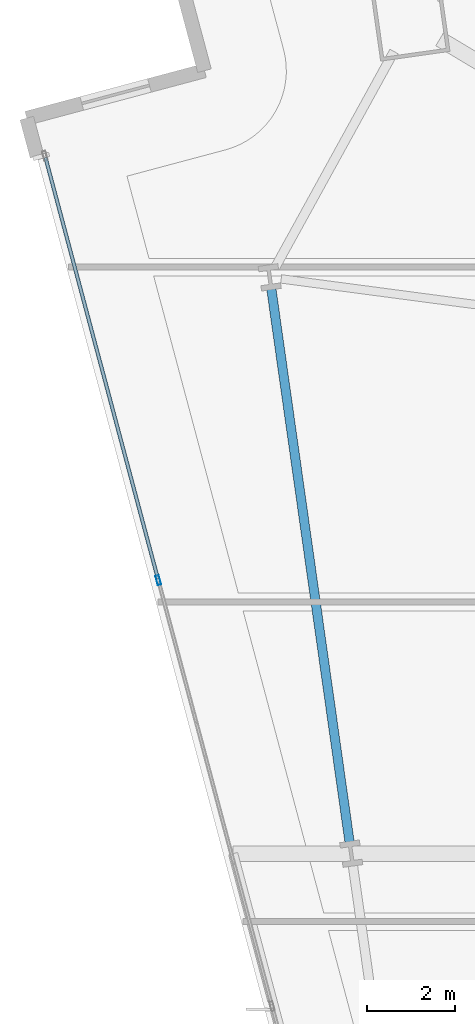
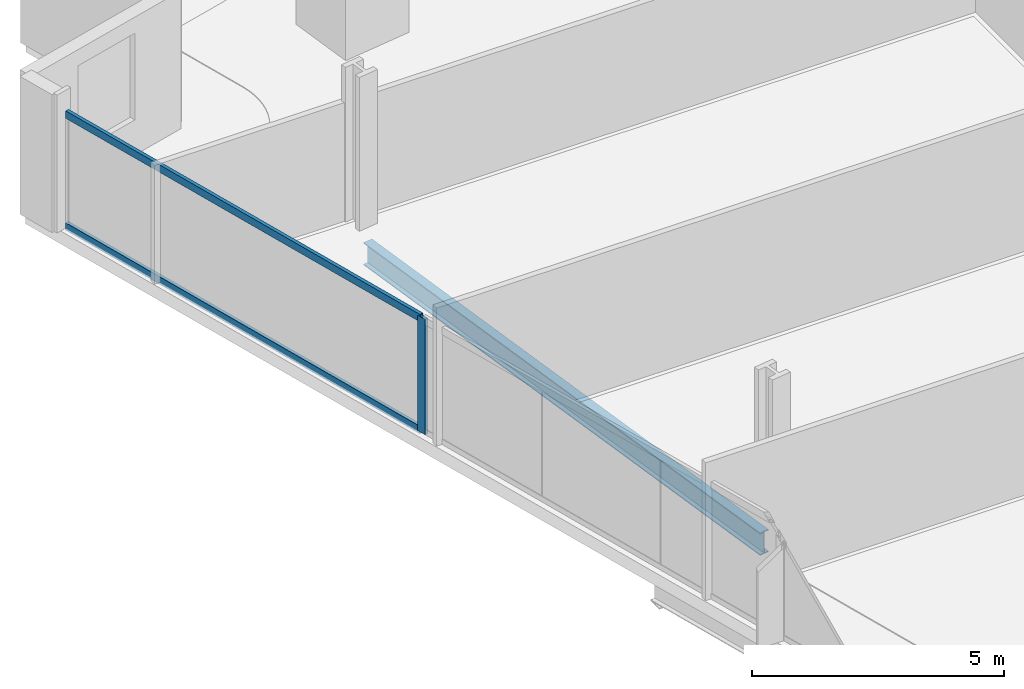
# One storey, part 13 of 33: 3 members, 1 beam, 1 element without a shape of its own.
"""IFC4 building model written with IfcOpenShell, lengths in metres."""

from ifc_helpers import new_model, si_unit, direction, frame, origin, origin_2d, place, context, subcontext, project, spatial, hollow_rectangle, i_section, extrude, material, material_profile, profile_set, type_object, element, aggregate, save


model = new_model("IFC4")

# Units and contexts
model_context = context("Model", 3, precision=1e-05, world=origin(), true_north=direction((0.0, 1.0)))
body_context = subcontext(model_context, "Body", "Model", "MODEL_VIEW")
ifc_project = project(units=[si_unit("LENGTHUNIT", "METRE"), si_unit("AREAUNIT", "SQUARE_METRE"), si_unit("VOLUMEUNIT", "CUBIC_METRE"), si_unit("PLANEANGLEUNIT", "RADIAN"), si_unit("MASSUNIT", "GRAM", prefix="KILO")], contexts=[model_context])

# Site, building, storey
site_placement = place(None, origin())
site = spatial("IfcSite", under=ifc_project, at=site_placement, CompositionType="ELEMENT")
building_placement = place(site_placement, origin())
building = spatial("IfcBuilding", under=site, at=building_placement, Name="Haldenkirk Collegiate Tower", CompositionType="ELEMENT")
storey_placement = place(building_placement, frame((0.0, 0.0, 77.699951171875)))
storey = spatial("IfcBuildingStorey", under=building, at=storey_placement, Name="L18", CompositionType="ELEMENT", Elevation=77.699951171875)

# Beam
ifc_material_1 = material(Name="Steel ASTM A992 Grade 50", Category="steel")
ifc_material_profile_1 = material_profile(ifc_material_1, i_section(OverallWidth=0.2119140625, OverallDepth=0.5439453125, WebThickness=0.01318359375, FlangeThickness=0.021240234375, at=origin_2d()), Name="W21X83")
ifc_profile_set_1 = profile_set([ifc_material_profile_1], Name="Steel ASTM A992 Grade 50")
beam_type = type_object("IfcBeamType", Name="BM-SPANDREL-W21X83", PredefinedType="SPANDREL", material=ifc_profile_set_1)
beam_placement = place(storey_placement, frame((10.30322265625, 35.951171875, -0.58203125), z_axis=(0.140049989419, -0.990144434143, 0.0), x_axis=(0.990144434143, 0.140049989419, 0.0)))
element("IfcBeam", 1, at=beam_placement, inside=storey, type_object=beam_type, Name="L18 perimeter spandrel beam 14", PredefinedType="SPANDREL", context=body_context, shape_type="SweptSolid", body=[
    extrude(i_section(OverallWidth=0.2119140625, OverallDepth=0.5439453125, WebThickness=0.01318359375, FlangeThickness=0.021240234375, at=origin_2d()), origin(), (0.0, 0.0, 1.0), 12.76220703125),
])

# Curtain wall, members
ifc_material_2 = material(Name="Anodised architectural bronze aluminium", Category="aluminium")
curtain_wall_type = type_object("IfcCurtainWallType", Name="CW-SYS1-CONVEX-LOW", PredefinedType="USERDEFINED", material=ifc_material_2)
curtain_wall_placement = place(storey_placement, origin())
curtain_wall = element("IfcCurtainWall", 2, at=curtain_wall_placement, inside=storey, type_object=curtain_wall_type, Name="L18 Lower tower convex bronze-framed unitised curtain wall", ObjectType="UNITISED CURTAIN WALL", PredefinedType="USERDEFINED")
ifc_material_profile_2 = material_profile(ifc_material_2, hollow_rectangle(XDim=0.080078125, YDim=0.219970703125, WallThickness=0.0048828125, at=origin_2d()), Name="CW-MUL-1A")
ifc_profile_set_2 = profile_set([ifc_material_profile_2], Name="Anodised architectural bronze aluminium")
member_type_1 = type_object("IfcMemberType", Name="CW-MUL-1A", PredefinedType="MULLION", material=ifc_profile_set_2)
member_1_placement = place(storey_placement, frame((7.72216796875, 29.2978515625, 0.0), z_axis=(0.0, 0.0, 1.0), x_axis=(-0.966151932944, -0.257973724375, 0.0)))
member_1 = element("IfcMember", 3, at=member_1_placement, type_object=member_type_1, Name="CW-1A mullion 4", PredefinedType="MULLION", context=body_context, shape_type="SweptSolid", body=[
    extrude(hollow_rectangle(XDim=0.080078125, YDim=0.219970703125, WallThickness=0.0048828125, at=origin_2d()), origin(), (0.0, 0.0, 1.0), 2.791015625),
])
ifc_material_profile_3 = material_profile(ifc_material_2, hollow_rectangle(XDim=0.080078125, YDim=0.179931640625, WallThickness=0.0048828125, at=origin_2d()), Name="CW-TRN-1A")
ifc_profile_set_3 = profile_set([ifc_material_profile_3], Name="Anodised architectural bronze aluminium")
member_type_2 = type_object("IfcMemberType", Name="CW-TRN-1A", PredefinedType="USERDEFINED", material=ifc_profile_set_3)
member_2_placement = place(storey_placement, frame((7.711669921875, 29.33642578125, 0.0400390625), z_axis=(-0.257962002954, 0.966155062623, 0.0), x_axis=(-0.966155062623, -0.257962002954, 0.0)))
member_2 = element("IfcMember", 4, at=member_2_placement, type_object=member_type_2, Name="CW-1A transom 4.1", ObjectType="TRANSOM", PredefinedType="USERDEFINED", context=body_context, shape_type="SweptSolid", body=[
    extrude(hollow_rectangle(XDim=0.080078125, YDim=0.179931640625, WallThickness=0.0048828125, at=origin_2d()), origin(), (0.0, 0.0, 1.0), 9.94873046875),
])
member_3_placement = place(storey_placement, frame((7.711669921875, 29.33642578125, 2.7509765625), z_axis=(-0.257962002954, 0.966155062623, 0.0), x_axis=(-0.966155062623, -0.257962002954, 0.0)))
member_3 = element("IfcMember", 5, at=member_3_placement, type_object=member_type_2, Name="CW-1A transom 4.2", ObjectType="TRANSOM", PredefinedType="USERDEFINED", context=body_context, shape_type="SweptSolid", body=[
    extrude(hollow_rectangle(XDim=0.080078125, YDim=0.179931640625, WallThickness=0.0048828125, at=origin_2d()), origin(), (0.0, 0.0, 1.0), 9.94873046875),
])
aggregate(curtain_wall, [member_1, member_2, member_3])

save(model, "model.ifc")
